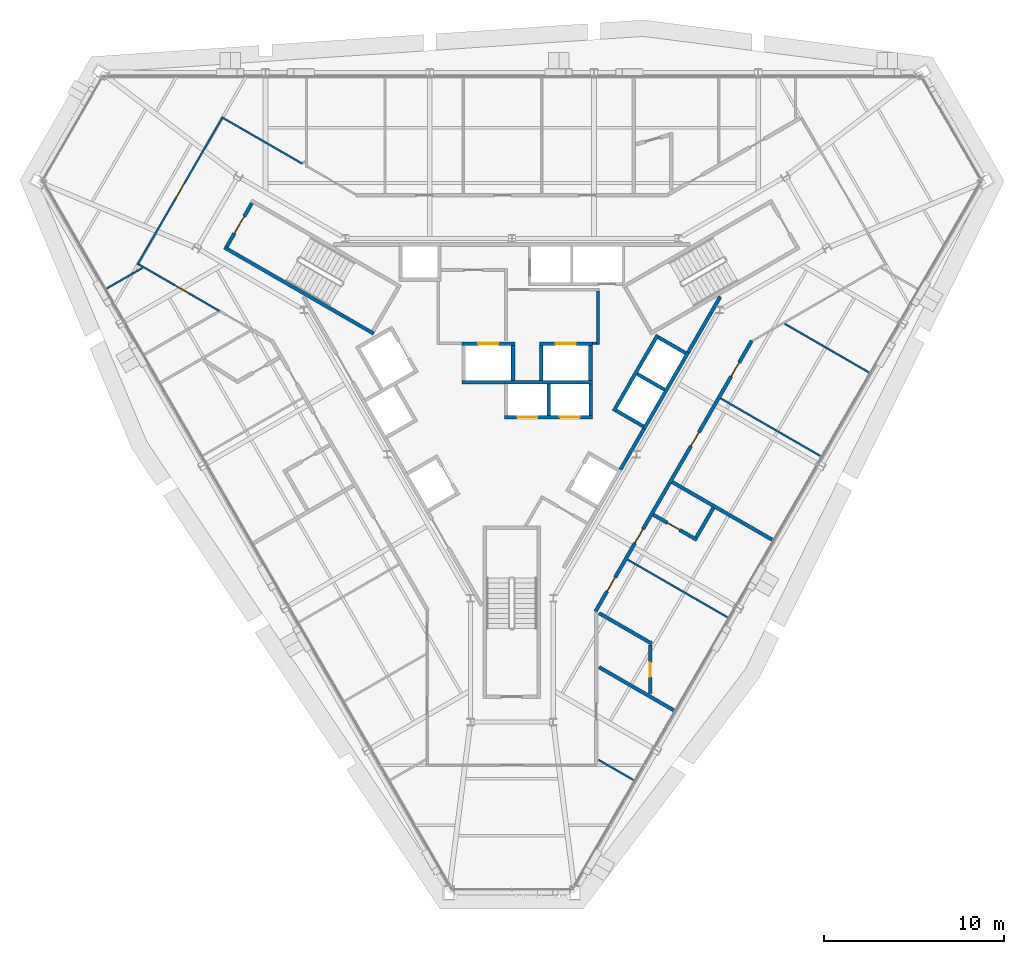
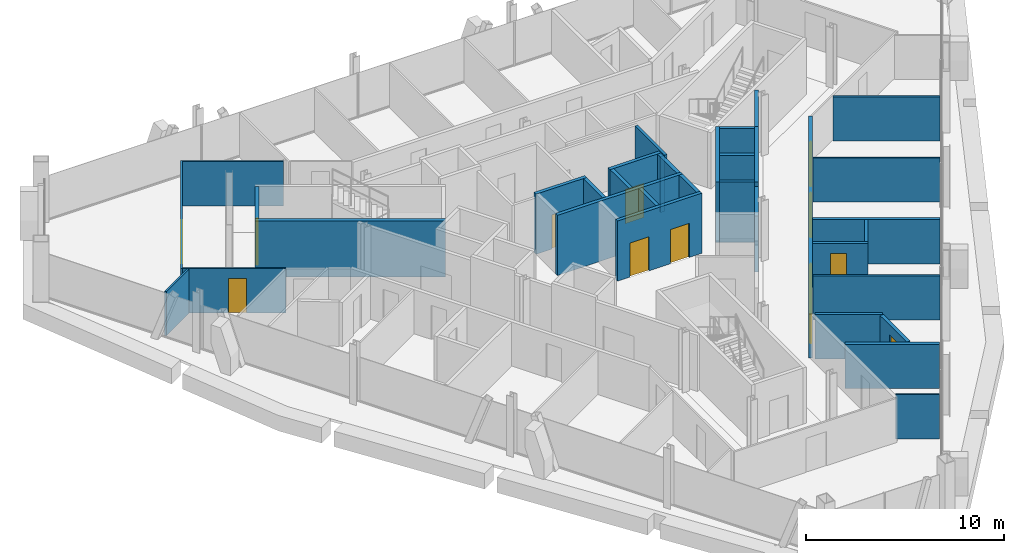
# One storey, part 11 of 15: 35 walls, 13 doors, 13 openings.
"""IFC4 building model written with IfcOpenShell, lengths in metres."""

from ifc_helpers import new_model, si_unit, direction, frame, frame_2d, origin, place, context, subcontext, project, spatial, rectangle, extrude, material, layer, layer_set, type_object, element, fill, save


model = new_model("IFC4")

# Units and contexts
model_context = context("Model", 3, precision=1e-05, world=origin(), true_north=direction((0.0, 1.0)))
body_context = subcontext(model_context, "Body", "Model", "MODEL_VIEW")
ifc_project = project(units=[si_unit("LENGTHUNIT", "METRE"), si_unit("AREAUNIT", "SQUARE_METRE"), si_unit("VOLUMEUNIT", "CUBIC_METRE"), si_unit("PLANEANGLEUNIT", "RADIAN"), si_unit("MASSUNIT", "GRAM", prefix="KILO")], contexts=[model_context])

# Site, building, storey
site_placement = place(None, origin())
site = spatial("IfcSite", under=ifc_project, at=site_placement, CompositionType="ELEMENT")
building_placement = place(site_placement, origin())
building = spatial("IfcBuilding", under=site, at=building_placement, Name="Verrane Prism Tower", CompositionType="ELEMENT")
storey_placement = place(building_placement, frame((0.0, 0.0, 250.800048828125)))
storey = spatial("IfcBuildingStorey", under=building, at=storey_placement, Name="L63", CompositionType="ELEMENT", Elevation=250.800048828125)

# Walls
ifc_material_1 = material(Name="Gypsum board partition", Category="other")
ifc_layer_1 = layer(ifc_material_1, 0.199951171875)
ifc_layer_set_1 = layer_set([ifc_layer_1], Name="CW-200 core boundary wall 2 h")
wall_type_1 = type_object("IfcWallType", Name="CW-200 core boundary wall 2 h", PredefinedType="PARTITIONING", material=ifc_layer_set_1)
wall_1_placement = place(storey_placement, frame((6.0419921875, -4.85498046875, 0.0), z_axis=(0.0, 0.0, 1.0), x_axis=(0.500252727967, 0.865879442048, 0.0)))
element("IfcWall", 1, at=wall_1_placement, inside=storey, type_object=wall_type_1, Name="Core boundary wall CW3-007", PredefinedType="PARTITIONING", context=body_context, shape_type="SweptSolid", body=[
    extrude(rectangle(XDim=2.616943359375, YDim=0.199951171875, at=frame_2d((1.30859375, 0.0))), origin(), (0.0, 0.0, 1.0), 3.449951171875),
])
wall_2_placement = place(storey_placement, frame((9.802978515625, 1.657958984375, 0.0), z_axis=(0.0, 0.0, 1.0), x_axis=(0.499943114462, 0.866058244174, 0.0)))
element("IfcWall", 2, at=wall_2_placement, inside=storey, type_object=wall_type_1, Name="Core boundary wall CW3-008", PredefinedType="PARTITIONING", context=body_context, shape_type="SweptSolid", body=[
    extrude(rectangle(XDim=3.57568359375, YDim=0.199951171875, at=frame_2d((1.787841796875, 0.0))), origin(), (0.0, 0.0, 1.0), 3.449951171875),
])

# Wall, opening, door
ifc_material_2 = material(Name="Concrete C40/50", Category="concrete")
ifc_layer_2 = layer(ifc_material_2, 0.199951171875)
ifc_layer_set_2 = layer_set([ifc_layer_2], Name="CW-200 stair core wall concrete C40/50 3 h")
wall_type_2 = type_object("IfcWallType", Name="CW-200 stair core wall concrete C40/50 3 h", PredefinedType="PARTITIONING", material=ifc_layer_set_2)
wall_3_placement = place(storey_placement, frame((-14.455322265625, 9.96240234375, 0.0), z_axis=(0.0, 0.0, 1.0), x_axis=(-0.500049511043, -0.865996816683, 0.0)))
wall_3 = element("IfcWall", 3, at=wall_3_placement, inside=storey, type_object=wall_type_2, Name="Stair 2 enclosure wall", PredefinedType="PARTITIONING", context=body_context, shape_type="SweptSolid", body=[
    extrude(rectangle(XDim=2.800048828125, YDim=0.199951171875, at=frame_2d((1.39990234375, 0.0))), origin(), (0.0, 0.0, 1.0), 3.449951171875),
])
opening_1_placement = place(wall_3_placement, frame((0.849853515625, 0.0, 0.0)))
opening_1 = element("IfcOpeningElement", 4, at=opening_1_placement, cuts=wall_3, Name="Opening D62501", PredefinedType="OPENING", context=body_context, shape_type="SweptSolid", body=[
    extrude(rectangle(XDim=1.10009765625, YDim=2.10009765625, at=frame_2d((0.550048828125, 1.050048828125))), frame((0.0, 0.10986328125, 0.0), z_axis=(0.0, -1.0, 0.0), x_axis=(1.0, 0.0, 0.0)), (0.0, 0.0, 1.0), 0.219970703125),
])
ifc_material_3 = material(Name="Timber veneered door leaf", Category="wood")
door_type_1 = type_object("IfcDoorType", Name="DR-1100x2100 FD90 single leaf stair", OperationType="NOTDEFINED", PredefinedType="DOOR", material=ifc_material_3)
door_1_placement = place(opening_1_placement, origin())
door_1 = element("IfcDoor", 5, at=door_1_placement, inside=storey, type_object=door_type_1, Name="Stair 2 door", OperationType="SINGLE_SWING_RIGHT", OverallHeight=2.10009765625, OverallWidth=1.10009765625, PredefinedType="DOOR", context=body_context, shape_type="SweptSolid", body=[
    extrude(rectangle(XDim=1.10009765625, YDim=2.10009765625, at=frame_2d((0.550048828125, 1.050048828125))), frame((0.0, 0.02490234375, 0.0), z_axis=(0.0, -1.0, 0.0), x_axis=(1.0, 0.0, 0.0)), (0.0, 0.0, 1.0), 0.050048828125),
])
fill(opening_1, door_1)

# Wall
wall_4_placement = place(storey_placement, frame((-7.67822265625, 2.700927734375, 0.0), z_axis=(0.0, 0.0, 1.0), x_axis=(-0.866019993635, 0.500009370536, 0.0)))
element("IfcWall", 6, at=wall_4_placement, inside=storey, type_object=wall_type_2, Name="Stair 2 enclosure wall", PredefinedType="PARTITIONING", context=body_context, shape_type="SweptSolid", body=[
    extrude(rectangle(XDim=9.599853515625, YDim=0.199951171875, at=frame_2d((4.7998046875, 0.0))), origin(), (0.0, 0.0, 1.0), 3.449951171875),
])

# Wall, openings, doors
ifc_material_4 = material(Name="Gypsum board shaft wall assembly", Category="other")
ifc_layer_3 = layer(ifc_material_4, 0.199951171875)
ifc_layer_set_3 = layer_set([ifc_layer_3], Name="HW-200 lift shaft wall 2 h")
wall_type_3 = type_object("IfcWallType", Name="HW-200 lift shaft wall 2 h", PredefinedType="PARTITIONING", material=ifc_layer_set_3)
wall_5_placement = place(storey_placement, frame((-0.405029296875, -1.949951171875, 0.0), z_axis=(0.0, 0.0, 1.0), x_axis=(1.0, 0.0, 0.0)))
wall_5 = element("IfcWall", 7, at=wall_5_placement, inside=storey, type_object=wall_type_3, Name="Lift shaft wall", PredefinedType="PARTITIONING", context=body_context, shape_type="SweptSolid", body=[
    extrude(rectangle(XDim=4.900146484375, YDim=0.199951171875, at=frame_2d((2.4501953125, 0.0))), origin(), (0.0, 0.0, 1.0), 3.699951171875),
])
opening_2_placement = place(wall_5_placement, frame((0.72509765625, 0.0, 0.0)))
opening_2 = element("IfcOpeningElement", 8, at=opening_2_placement, cuts=wall_5, Name="Opening D62503", PredefinedType="OPENING", context=body_context, shape_type="SweptSolid", body=[
    extrude(rectangle(XDim=1.10009765625, YDim=2.10009765625, at=frame_2d((0.550048828125, 1.050048828125))), frame((0.0, 0.10986328125, 0.0), z_axis=(0.0, -1.0, 0.0), x_axis=(1.0, 0.0, 0.0)), (0.0, 0.0, 1.0), 0.219970703125),
])
opening_3_placement = place(wall_5_placement, frame((3.074951171875, 0.0, 0.0)))
opening_3 = element("IfcOpeningElement", 9, at=opening_3_placement, cuts=wall_5, Name="Opening D62504", PredefinedType="OPENING", context=body_context, shape_type="SweptSolid", body=[
    extrude(rectangle(XDim=1.10009765625, YDim=2.10009765625, at=frame_2d((0.550048828125, 1.050048828125))), frame((0.0, 0.10986328125, 0.0), z_axis=(0.0, -1.0, 0.0), x_axis=(1.0, 0.0, 0.0)), (0.0, 0.0, 1.0), 0.219970703125),
])
ifc_material_5 = material(Name="Stainless steel sliding landing door", Category="steel")
door_type_2 = type_object("IfcDoorType", Name="LD-1100x2100 lift landing door FD90 sliding", OperationType="NOTDEFINED", PredefinedType="DOOR", material=ifc_material_5)
door_2_placement = place(opening_2_placement, origin())
door_2 = element("IfcDoor", 10, at=door_2_placement, inside=storey, type_object=door_type_2, Name="Bank B lift 1 landing door", OperationType="SLIDING_TO_LEFT", OverallHeight=2.10009765625, OverallWidth=1.10009765625, PredefinedType="DOOR", context=body_context, shape_type="SweptSolid", body=[
    extrude(rectangle(XDim=1.10009765625, YDim=2.10009765625, at=frame_2d((0.550048828125, 1.050048828125))), frame((0.0, 0.02490234375, 0.0), z_axis=(0.0, -1.0, 0.0), x_axis=(1.0, 0.0, 0.0)), (0.0, 0.0, 1.0), 0.050048828125),
])
fill(opening_2, door_2)
door_3_placement = place(opening_3_placement, origin())
door_3 = element("IfcDoor", 11, at=door_3_placement, inside=storey, type_object=door_type_2, Name="Bank B lift 2 landing door", OperationType="SLIDING_TO_RIGHT", OverallHeight=2.10009765625, OverallWidth=1.10009765625, PredefinedType="DOOR", context=body_context, shape_type="SweptSolid", body=[
    extrude(rectangle(XDim=1.10009765625, YDim=2.10009765625, at=frame_2d((0.550048828125, 1.050048828125))), frame((0.0, 0.02490234375, 0.0), z_axis=(0.0, -1.0, 0.0), x_axis=(1.0, 0.0, 0.0)), (0.0, 0.0, 1.0), 0.050048828125),
])
fill(opening_3, door_3)

# Wall
wall_6_placement = place(storey_placement, frame((-2.784912109375, 0.0, 0.0), z_axis=(0.0, 0.0, 1.0), x_axis=(1.0, 0.0, 0.0)))
element("IfcWall", 12, at=wall_6_placement, inside=storey, type_object=wall_type_3, Name="Lift shaft wall", PredefinedType="PARTITIONING", context=body_context, shape_type="SweptSolid", body=[
    extrude(rectangle(XDim=7.280029296875, YDim=0.199951171875, at=frame_2d((3.64013671875, 0.0))), origin(), (0.0, 0.0, 1.0), 3.699951171875),
])

# Wall, opening, door
wall_7_placement = place(storey_placement, frame((-2.784912109375, 2.14990234375, 0.0), z_axis=(0.0, 0.0, 1.0), x_axis=(1.0, 0.0, 0.0)))
wall_7 = element("IfcWall", 13, at=wall_7_placement, inside=storey, type_object=wall_type_3, Name="Lift shaft wall", PredefinedType="PARTITIONING", context=body_context, shape_type="SweptSolid", body=[
    extrude(rectangle(XDim=2.949951171875, YDim=0.199951171875, at=frame_2d((1.47509765625, 0.0))), origin(), (0.0, 0.0, 1.0), 3.699951171875),
])
opening_4_placement = place(wall_7_placement, frame((0.925048828125, 0.0, 0.0)))
opening_4 = element("IfcOpeningElement", 14, at=opening_4_placement, cuts=wall_7, Name="Opening D62507", PredefinedType="OPENING", context=body_context, shape_type="SweptSolid", body=[
    extrude(rectangle(XDim=1.10009765625, YDim=2.10009765625, at=frame_2d((0.550048828125, 1.050048828125))), frame((0.0, 0.10986328125, 0.0), z_axis=(0.0, -1.0, 0.0), x_axis=(1.0, 0.0, 0.0)), (0.0, 0.0, 1.0), 0.219970703125),
])
door_4_placement = place(opening_4_placement, origin())
door_4 = element("IfcDoor", 15, at=door_4_placement, inside=storey, type_object=door_type_2, Name="Fire service lift 1 landing door", OperationType="SLIDING_TO_LEFT", OverallHeight=2.10009765625, OverallWidth=1.10009765625, PredefinedType="DOOR", context=body_context, shape_type="SweptSolid", body=[
    extrude(rectangle(XDim=1.10009765625, YDim=2.10009765625, at=frame_2d((0.550048828125, 1.050048828125))), frame((0.0, 0.02490234375, 0.0), z_axis=(0.0, -1.0, 0.0), x_axis=(1.0, 0.0, 0.0)), (0.0, 0.0, 1.0), 0.050048828125),
])
fill(opening_4, door_4)

wall_8_placement = place(storey_placement, frame((1.52490234375, 2.14990234375, 0.0), z_axis=(0.0, 0.0, 1.0), x_axis=(1.0, 0.0, 0.0)))
wall_8 = element("IfcWall", 16, at=wall_8_placement, inside=storey, type_object=wall_type_3, Name="Lift shaft wall", PredefinedType="PARTITIONING", context=body_context, shape_type="SweptSolid", body=[
    extrude(rectangle(XDim=2.9501953125, YDim=0.199951171875, at=frame_2d((1.47509765625, 0.0))), origin(), (0.0, 0.0, 1.0), 3.699951171875),
])
opening_5_placement = place(wall_8_placement, frame((0.925048828125, 0.0, 0.0)))
opening_5 = element("IfcOpeningElement", 17, at=opening_5_placement, cuts=wall_8, Name="Opening D62508", PredefinedType="OPENING", context=body_context, shape_type="SweptSolid", body=[
    extrude(rectangle(XDim=1.10009765625, YDim=2.10009765625, at=frame_2d((0.550048828125, 1.050048828125))), frame((0.0, 0.10986328125, 0.0), z_axis=(0.0, -1.0, 0.0), x_axis=(1.0, 0.0, 0.0)), (0.0, 0.0, 1.0), 0.219970703125),
])
door_5_placement = place(opening_5_placement, origin())
door_5 = element("IfcDoor", 18, at=door_5_placement, inside=storey, type_object=door_type_2, Name="Fire service lift 2 landing door", OperationType="SLIDING_TO_RIGHT", OverallHeight=2.10009765625, OverallWidth=1.10009765625, PredefinedType="DOOR", context=body_context, shape_type="SweptSolid", body=[
    extrude(rectangle(XDim=1.10009765625, YDim=2.10009765625, at=frame_2d((0.550048828125, 1.050048828125))), frame((0.0, 0.02490234375, 0.0), z_axis=(0.0, -1.0, 0.0), x_axis=(1.0, 0.0, 0.0)), (0.0, 0.0, 1.0), 0.050048828125),
])
fill(opening_5, door_5)

# Walls
wall_9_placement = place(storey_placement, frame((7.351318359375, -2.587158203125, 0.0), z_axis=(0.0, 0.0, 1.0), x_axis=(0.500002801628, 0.866023786258, 0.0)))
element("IfcWall", 19, at=wall_9_placement, inside=storey, type_object=wall_type_3, Name="Lift shaft wall", PredefinedType="PARTITIONING", context=body_context, shape_type="SweptSolid", body=[
    extrude(rectangle(XDim=4.89990234375, YDim=0.199951171875, at=frame_2d((2.449951171875, 0.0))), origin(), (0.0, 0.0, 1.0), 3.699951171875),
])
wall_10_placement = place(storey_placement, frame((5.66259765625, -1.6123046875, 0.0), z_axis=(0.0, 0.0, 1.0), x_axis=(0.49998122708, 0.866036242063, 0.0)))
element("IfcWall", 20, at=wall_10_placement, inside=storey, type_object=wall_type_3, Name="Lift shaft wall", PredefinedType="PARTITIONING", context=body_context, shape_type="SweptSolid", body=[
    extrude(rectangle(XDim=4.900146484375, YDim=0.199951171875, at=frame_2d((2.4501953125, 0.0))), origin(), (0.0, 0.0, 1.0), 3.699951171875),
])
wall_11_placement = place(storey_placement, frame((4.39501953125, -1.85009765625, 0.0), z_axis=(0.0, 0.0, 1.0), x_axis=(0.0, 1.0, 0.0)))
element("IfcWall", 21, at=wall_11_placement, inside=storey, type_object=wall_type_3, Name="Lift shaft wall", PredefinedType="PARTITIONING", context=body_context, shape_type="SweptSolid", body=[
    extrude(rectangle(XDim=1.75, YDim=0.199951171875, at=frame_2d((0.875, 0.0))), origin(), (0.0, 0.0, 1.0), 3.699951171875),
])
wall_12_placement = place(storey_placement, frame((4.375, 0.10009765625, 0.0), z_axis=(0.0, 0.0, 1.0), x_axis=(0.0, 1.0, 0.0)))
element("IfcWall", 22, at=wall_12_placement, inside=storey, type_object=wall_type_3, Name="Lift shaft wall", PredefinedType="PARTITIONING", context=body_context, shape_type="SweptSolid", body=[
    extrude(rectangle(XDim=1.949951171875, YDim=0.199951171875, at=frame_2d((0.97509765625, 0.0))), origin(), (0.0, 0.0, 1.0), 3.699951171875),
])
wall_13_placement = place(storey_placement, frame((2.044921875, -1.85009765625, 0.0), z_axis=(0.0, 0.0, 1.0), x_axis=(0.0, 1.0, 0.0)))
element("IfcWall", 23, at=wall_13_placement, inside=storey, type_object=wall_type_3, Name="Lift shaft wall", PredefinedType="PARTITIONING", context=body_context, shape_type="SweptSolid", body=[
    extrude(rectangle(XDim=1.75, YDim=0.199951171875, at=frame_2d((0.875, 0.0))), origin(), (0.0, 0.0, 1.0), 3.699951171875),
])
for number, where, z_axis, x_axis, name in (
    (24, (1.625, 0.10009765625, 0.0), (0.0, 0.0, 1.0), (0.0, 1.0, 0.0), "Lift shaft wall"),
    (25, (0.06494140625, 0.10009765625, 0.0), (0.0, 0.0, 1.0), (0.0, 1.0, 0.0), "Lift shaft wall"),
):
    element("IfcWall", number, at=place(storey_placement, frame(where, z_axis=z_axis, x_axis=x_axis)), inside=storey, type_object=wall_type_3, Name=name, PredefinedType="PARTITIONING", context=body_context, shape_type="SweptSolid", body=[
        extrude(rectangle(XDim=1.949951171875, YDim=0.199951171875, at=frame_2d((0.97509765625, 0.0))), origin(), (0.0, 0.0, 1.0), 3.699951171875),
    ])
wall_14_placement = place(storey_placement, frame((9.66455078125, 1.61962890625, 0.0), z_axis=(0.0, 0.0, 1.0), x_axis=(-0.866002029911, 0.500040482552, 0.0)))
element("IfcWall", 26, at=wall_14_placement, inside=storey, type_object=wall_type_3, Name="Lift shaft wall", PredefinedType="PARTITIONING", context=body_context, shape_type="SweptSolid", body=[
    extrude(rectangle(XDim=1.749755859375, YDim=0.199951171875, at=frame_2d((0.875, 0.0))), origin(), (0.0, 0.0, 1.0), 3.699951171875),
])
for number, where, z_axis, x_axis, name in (
    (27, (8.48974609375, -0.41552734375, 0.0), (0.0, 0.0, 1.0), (-0.866036909293, 0.499980071345, 0.0), "Lift shaft wall"),
    (28, (7.314697265625, -2.45068359375, 0.0), (0.0, 0.0, 1.0), (-0.866036909293, 0.499980071345, 0.0), "Lift shaft wall"),
):
    element("IfcWall", number, at=place(storey_placement, frame(where, z_axis=z_axis, x_axis=x_axis)), inside=storey, type_object=wall_type_3, Name=name, PredefinedType="PARTITIONING", context=body_context, shape_type="SweptSolid", body=[
        extrude(rectangle(XDim=1.75, YDim=0.199951171875, at=frame_2d((0.875, 0.0))), origin(), (0.0, 0.0, 1.0), 3.699951171875),
    ])
ifc_material_6 = material(Name="Gypsum board partition", Category="other")
ifc_layer_4 = layer(ifc_material_6, 0.14990234375)
ifc_layer_set_4 = layer_set([ifc_layer_4], Name="LF-150 firefighting lobby wall 1 h")
wall_type_4 = type_object("IfcWallType", Name="LF-150 firefighting lobby wall 1 h", PredefinedType="PARTITIONING", material=ifc_layer_set_4)
wall_15_placement = place(storey_placement, frame((4.47705078125, 2.159912109375, 0.0), z_axis=(0.0, 0.0, 1.0), x_axis=(1.0, 0.0, 0.0)))
element("IfcWall", 29, at=wall_15_placement, inside=storey, type_object=wall_type_4, Name="Firefighting lobby wall LF1-006", PredefinedType="PARTITIONING", context=body_context, shape_type="SweptSolid", body=[
    extrude(rectangle(XDim=0.238037109375, YDim=0.14990234375, at=frame_2d((0.119140625, 0.0))), origin(), (0.0, 0.0, 1.0), 3.449951171875),
])
wall_16_placement = place(storey_placement, frame((4.7900390625, 2.0849609375, 0.0), z_axis=(0.0, 0.0, 1.0), x_axis=(0.0, 1.0, 0.0)))
element("IfcWall", 30, at=wall_16_placement, inside=storey, type_object=wall_type_4, Name="Firefighting lobby wall LF1-007", PredefinedType="PARTITIONING", context=body_context, shape_type="SweptSolid", body=[
    extrude(rectangle(XDim=2.97998046875, YDim=0.14990234375, at=frame_2d((1.489990234375, 0.0))), origin(), (0.0, 0.0, 1.0), 3.449951171875),
])
ifc_material_7 = material(Name="Gypsum board partition", Category="other")
ifc_layer_5 = layer(ifc_material_7, 0.10009765625)
ifc_layer_set_5 = layer_set([ifc_layer_5], Name="PW-100 room partition")
wall_type_5 = type_object("IfcWallType", Name="PW-100 room partition", PredefinedType="PARTITIONING", material=ifc_layer_set_5)
wall_17_placement = place(storey_placement, frame((-22.529541015625, 5.210205078125, 0.0), z_axis=(0.0, 0.0, 1.0), x_axis=(0.865865073245, 0.500277597875, 0.0)))
element("IfcWall", 31, at=wall_17_placement, inside=storey, type_object=wall_type_5, Name="Room partition 001", PredefinedType="PARTITIONING", context=body_context, shape_type="SweptSolid", body=[
    extrude(rectangle(XDim=2.283935546875, YDim=0.10009765625, at=frame_2d((1.14208984375, 0.0))), origin(), (0.0, 0.0, 1.0), 2.712890625),
])

# Wall, opening, door
wall_18_placement = place(storey_placement, frame((-16.2529296875, 3.95703125, 0.0), z_axis=(0.0, 0.0, 1.0), x_axis=(-0.866006514596, 0.500032715607, 0.0)))
wall_18 = element("IfcWall", 32, at=wall_18_placement, inside=storey, type_object=wall_type_5, Name="Room partition 002", PredefinedType="PARTITIONING", context=body_context, shape_type="SweptSolid", body=[
    extrude(rectangle(XDim=5.199462890625, YDim=0.10009765625, at=frame_2d((2.599609375, 0.0))), origin(), (0.0, 0.0, 1.0), 2.712890625),
])
opening_6_placement = place(wall_18_placement, frame((1.9775390625, 0.0, 0.0)))
opening_6 = element("IfcOpeningElement", 33, at=opening_6_placement, cuts=wall_18, Name="Opening D62018", PredefinedType="OPENING", context=body_context, shape_type="SweptSolid", body=[
    extrude(rectangle(XDim=0.89990234375, YDim=2.10009765625, at=frame_2d((0.449951171875, 1.050048828125))), frame((0.0, 0.06005859375, 0.0), z_axis=(0.0, -1.0, 0.0), x_axis=(1.0, 0.0, 0.0)), (0.0, 0.0, 1.0), 0.1201171875),
])
ifc_material_8 = material(Name="Timber veneered door leaf", Category="wood")
door_type_3 = type_object("IfcDoorType", Name="DR-900x2100 single leaf unit", OperationType="NOTDEFINED", PredefinedType="DOOR", material=ifc_material_8)
door_6_placement = place(opening_6_placement, origin())
door_6 = element("IfcDoor", 34, at=door_6_placement, inside=storey, type_object=door_type_3, Name="Kitchen door", OperationType="SINGLE_SWING_LEFT", OverallHeight=2.10009765625, OverallWidth=0.89990234375, PredefinedType="DOOR", context=body_context, shape_type="SweptSolid", body=[
    extrude(rectangle(XDim=0.89990234375, YDim=2.10009765625, at=frame_2d((0.449951171875, 1.050048828125))), frame((0.0, 0.02490234375, 0.0), z_axis=(0.0, -1.0, 0.0), x_axis=(1.0, 0.0, 0.0)), (0.0, 0.0, 1.0), 0.050048828125),
])
fill(opening_6, door_6)

wall_19_placement = place(storey_placement, frame((-20.823974609375, 6.538818359375, 0.0), z_axis=(0.0, 0.0, 1.0), x_axis=(0.500297300687, 0.865853689098, 0.0)))
wall_19 = element("IfcWall", 35, at=wall_19_placement, inside=storey, type_object=wall_type_5, Name="Room partition 003", PredefinedType="PARTITIONING", context=body_context, shape_type="SweptSolid", body=[
    extrude(rectangle(XDim=9.496337890625, YDim=0.10009765625, at=frame_2d((4.748046875, 0.0))), origin(), (0.0, 0.0, 1.0), 2.712890625),
])
opening_7_placement = place(wall_19_placement, frame((4.300048828125, 0.0, 0.0)))
opening_7 = element("IfcOpeningElement", 36, at=opening_7_placement, cuts=wall_19, Name="Opening D62017", PredefinedType="OPENING", context=body_context, shape_type="SweptSolid", body=[
    extrude(rectangle(XDim=0.89990234375, YDim=2.10009765625, at=frame_2d((0.449951171875, 1.050048828125))), frame((0.0, 0.06005859375, 0.0), z_axis=(0.0, -1.0, 0.0), x_axis=(1.0, 0.0, 0.0)), (0.0, 0.0, 1.0), 0.1201171875),
])
door_7_placement = place(opening_7_placement, origin())
door_7 = element("IfcDoor", 37, at=door_7_placement, inside=storey, type_object=door_type_3, Name="Utility Room door", OperationType="SINGLE_SWING_LEFT", OverallHeight=2.10009765625, OverallWidth=0.89990234375, PredefinedType="DOOR", context=body_context, shape_type="SweptSolid", body=[
    extrude(rectangle(XDim=0.89990234375, YDim=2.10009765625, at=frame_2d((0.449951171875, 1.050048828125))), frame((0.0, 0.02490234375, 0.0), z_axis=(0.0, -1.0, 0.0), x_axis=(1.0, 0.0, 0.0)), (0.0, 0.0, 1.0), 0.050048828125),
])
fill(opening_7, door_7)

# Walls
wall_20_placement = place(storey_placement, frame((-16.0546875, 14.693115234375, 0.0), z_axis=(0.0, 0.0, 1.0), x_axis=(0.866094383736, -0.499880504182, 0.0)))
element("IfcWall", 38, at=wall_20_placement, inside=storey, type_object=wall_type_5, Name="Room partition 009", PredefinedType="PARTITIONING", context=body_context, shape_type="SweptSolid", body=[
    extrude(rectangle(XDim=5.081298828125, YDim=0.10009765625, at=frame_2d((2.54052734375, 0.0))), origin(), (0.0, 0.0, 1.0), 2.712890625),
])
wall_21_placement = place(storey_placement, frame((4.824951171875, -21.004150390625, 0.0), z_axis=(0.0, 0.0, 1.0), x_axis=(0.866121639155, -0.499833278392, 0.0)))
element("IfcWall", 39, at=wall_21_placement, inside=storey, type_object=wall_type_5, Name="Room partition 029", PredefinedType="PARTITIONING", context=body_context, shape_type="SweptSolid", body=[
    extrude(rectangle(XDim=2.224853515625, YDim=0.10009765625, at=frame_2d((1.1123046875, 0.0))), origin(), (0.0, 0.0, 1.0), 2.712890625),
])
wall_22_placement = place(storey_placement, frame((6.43603515625, -9.865478515625, 0.0), z_axis=(0.0, 0.0, 1.0), x_axis=(0.866013405822, -0.500020780506, 0.0)))
element("IfcWall", 40, at=wall_22_placement, inside=storey, type_object=wall_type_5, Name="Room partition 033", PredefinedType="PARTITIONING", context=body_context, shape_type="SweptSolid", body=[
    extrude(rectangle(XDim=6.399169921875, YDim=0.10009765625, at=frame_2d((3.19970703125, 0.0))), origin(), (0.0, 0.0, 1.0), 2.712890625),
])
wall_23_placement = place(storey_placement, frame((11.61181640625, -0.8994140625, 0.0), z_axis=(0.0, 0.0, 1.0), x_axis=(0.865966403178, -0.500102178127, 0.0)))
element("IfcWall", 41, at=wall_23_placement, inside=storey, type_object=wall_type_5, Name="Room partition 043", PredefinedType="PARTITIONING", context=body_context, shape_type="SweptSolid", body=[
    extrude(rectangle(XDim=6.400146484375, YDim=0.10009765625, at=frame_2d((3.2001953125, 0.0))), origin(), (0.0, 0.0, 1.0), 2.712890625),
])
wall_24_placement = place(storey_placement, frame((15.176025390625, 3.249755859375, 0.0), z_axis=(0.0, 0.0, 1.0), x_axis=(0.865941828667, -0.500144728419, 0.0)))
element("IfcWall", 42, at=wall_24_placement, inside=storey, type_object=wall_type_5, Name="Room partition 045", PredefinedType="PARTITIONING", context=body_context, shape_type="SweptSolid", body=[
    extrude(rectangle(XDim=5.38818359375, YDim=0.10009765625, at=frame_2d((2.694091796875, 0.0))), origin(), (0.0, 0.0, 1.0), 2.712890625),
])
ifc_material_9 = material(Name="Gypsum board partition", Category="other")
ifc_layer_6 = layer(ifc_material_9, 0.199951171875)
ifc_layer_set_6 = layer_set([ifc_layer_6], Name="PW-200 plumbing wall")
wall_type_6 = type_object("IfcWallType", Name="PW-200 plumbing wall", PredefinedType="PARTITIONING", material=ifc_layer_set_6)
wall_25_placement = place(storey_placement, frame((4.85009765625, -15.845703125, 0.0), z_axis=(0.0, 0.0, 1.0), x_axis=(0.866007055173, -0.500031779381, 0.0)))
element("IfcWall", 43, at=wall_25_placement, inside=storey, type_object=wall_type_6, Name="Plumbing wall 030", PredefinedType="PARTITIONING", context=body_context, shape_type="SweptSolid", body=[
    extrude(rectangle(XDim=4.782470703125, YDim=0.199951171875, at=frame_2d((2.39111328125, 0.0))), origin(), (0.0, 0.0, 1.0), 2.712890625),
])
wall_26_placement = place(storey_placement, frame((4.85009765625, -12.843505859375, 0.0), z_axis=(0.0, 0.0, 1.0), x_axis=(0.866005731893, -0.500034071167, 0.0)))
element("IfcWall", 44, at=wall_26_placement, inside=storey, type_object=wall_type_6, Name="Plumbing wall 031", PredefinedType="PARTITIONING", context=body_context, shape_type="SweptSolid", body=[
    extrude(rectangle(XDim=3.390869140625, YDim=0.199951171875, at=frame_2d((1.6953125, 0.0))), origin(), (0.0, 0.0, 1.0), 2.712890625),
])

# Wall, openings, doors
wall_27_placement = place(storey_placement, frame((13.342041015625, 2.306396484375, 0.0), z_axis=(0.0, 0.0, 1.0), x_axis=(-0.499983003136, -0.866035216706, 0.0)))
wall_27 = element("IfcWall", 45, at=wall_27_placement, inside=storey, type_object=wall_type_6, Name="Plumbing wall 032", PredefinedType="PARTITIONING", context=body_context, shape_type="SweptSolid", body=[
    extrude(rectangle(XDim=17.384765625, YDim=0.199951171875, at=frame_2d((8.6923828125, 0.0))), origin(), (0.0, 0.0, 1.0), 2.712890625),
])
opening_8_placement = place(wall_27_placement, frame((15.184814453125, 0.0, 0.0)))
opening_8 = element("IfcOpeningElement", 46, at=opening_8_placement, cuts=wall_27, Name="Opening D62002", PredefinedType="OPENING", context=body_context, shape_type="SweptSolid", body=[
    extrude(rectangle(XDim=0.89990234375, YDim=2.10009765625, at=frame_2d((0.449951171875, 1.050048828125))), frame((0.0, 0.10986328125, 0.0), z_axis=(0.0, -1.0, 0.0), x_axis=(1.0, 0.0, 0.0)), (0.0, 0.0, 1.0), 0.219970703125),
])
opening_9_placement = place(wall_27_placement, frame((12.09375, 0.0, 0.0)))
opening_9 = element("IfcOpeningElement", 47, at=opening_9_placement, cuts=wall_27, Name="Opening D62004", PredefinedType="OPENING", context=body_context, shape_type="SweptSolid", body=[
    extrude(rectangle(XDim=0.89990234375, YDim=2.10009765625, at=frame_2d((0.449951171875, 1.050048828125))), frame((0.0, 0.10986328125, 0.0), z_axis=(0.0, -1.0, 0.0), x_axis=(1.0, 0.0, 0.0)), (0.0, 0.0, 1.0), 0.219970703125),
])
opening_10_placement = place(wall_27_placement, frame((5.86669921875, 0.0, 0.0)))
opening_10 = element("IfcOpeningElement", 48, at=opening_10_placement, cuts=wall_27, Name="Opening D62006", PredefinedType="OPENING", context=body_context, shape_type="SweptSolid", body=[
    extrude(rectangle(XDim=0.89990234375, YDim=2.10009765625, at=frame_2d((0.449951171875, 1.050048828125))), frame((0.0, 0.10986328125, 0.0), z_axis=(0.0, -1.0, 0.0), x_axis=(1.0, 0.0, 0.0)), (0.0, 0.0, 1.0), 0.219970703125),
])
opening_11_placement = place(wall_27_placement, frame((1.391845703125, 0.0, 0.0)))
opening_11 = element("IfcOpeningElement", 49, at=opening_11_placement, cuts=wall_27, Name="Opening D62007", PredefinedType="OPENING", context=body_context, shape_type="SweptSolid", body=[
    extrude(rectangle(XDim=0.89990234375, YDim=2.10009765625, at=frame_2d((0.449951171875, 1.050048828125))), frame((0.0, 0.10986328125, 0.0), z_axis=(0.0, -1.0, 0.0), x_axis=(1.0, 0.0, 0.0)), (0.0, 0.0, 1.0), 0.219970703125),
])
ifc_material_10 = material(Name="Timber veneered door leaf", Category="wood")
door_type_4 = type_object("IfcDoorType", Name="DR-900x2100 single leaf inner", OperationType="NOTDEFINED", PredefinedType="DOOR", material=ifc_material_10)
door_8_placement = place(opening_8_placement, origin())
door_8 = element("IfcDoor", 50, at=door_8_placement, inside=storey, type_object=door_type_4, Name="Master Bedroom door", OperationType="SINGLE_SWING_LEFT", OverallHeight=2.10009765625, OverallWidth=0.89990234375, PredefinedType="DOOR", context=body_context, shape_type="SweptSolid", body=[
    extrude(rectangle(XDim=0.89990234375, YDim=2.10009765625, at=frame_2d((0.449951171875, 1.050048828125))), frame((0.0, 0.02490234375, 0.0), z_axis=(0.0, -1.0, 0.0), x_axis=(1.0, 0.0, 0.0)), (0.0, 0.0, 1.0), 0.050048828125),
])
fill(opening_8, door_8)
door_9_placement = place(opening_9_placement, origin())
door_9 = element("IfcDoor", 51, at=door_9_placement, inside=storey, type_object=door_type_4, Name="Bedroom door", OperationType="SINGLE_SWING_LEFT", OverallHeight=2.10009765625, OverallWidth=0.89990234375, PredefinedType="DOOR", context=body_context, shape_type="SweptSolid", body=[
    extrude(rectangle(XDim=0.89990234375, YDim=2.10009765625, at=frame_2d((0.449951171875, 1.050048828125))), frame((0.0, 0.02490234375, 0.0), z_axis=(0.0, -1.0, 0.0), x_axis=(1.0, 0.0, 0.0)), (0.0, 0.0, 1.0), 0.050048828125),
])
fill(opening_9, door_9)
door_10_placement = place(opening_10_placement, origin())
door_10 = element("IfcDoor", 52, at=door_10_placement, inside=storey, type_object=door_type_3, Name="Study door", OperationType="SINGLE_SWING_LEFT", OverallHeight=2.10009765625, OverallWidth=0.89990234375, PredefinedType="DOOR", context=body_context, shape_type="SweptSolid", body=[
    extrude(rectangle(XDim=0.89990234375, YDim=2.10009765625, at=frame_2d((0.449951171875, 1.050048828125))), frame((0.0, 0.02490234375, 0.0), z_axis=(0.0, -1.0, 0.0), x_axis=(1.0, 0.0, 0.0)), (0.0, 0.0, 1.0), 0.050048828125),
])
fill(opening_10, door_10)
door_11_placement = place(opening_11_placement, origin())
door_11 = element("IfcDoor", 53, at=door_11_placement, inside=storey, type_object=door_type_3, Name="Study door", OperationType="SINGLE_SWING_RIGHT", OverallHeight=2.10009765625, OverallWidth=0.89990234375, PredefinedType="DOOR", context=body_context, shape_type="SweptSolid", body=[
    extrude(rectangle(XDim=0.89990234375, YDim=2.10009765625, at=frame_2d((0.449951171875, 1.050048828125))), frame((0.0, 0.02490234375, 0.0), z_axis=(0.0, -1.0, 0.0), x_axis=(1.0, 0.0, 0.0)), (0.0, 0.0, 1.0), 0.050048828125),
])
fill(opening_11, door_11)

# Wall, opening, door
wall_28_placement = place(storey_placement, frame((7.699951171875, -17.31884765625, 0.0), z_axis=(0.0, 0.0, 1.0), x_axis=(0.0, 1.0, 0.0)))
wall_28 = element("IfcWall", 54, at=wall_28_placement, inside=storey, type_object=wall_type_6, Name="Plumbing wall 036", PredefinedType="PARTITIONING", context=body_context, shape_type="SweptSolid", body=[
    extrude(rectangle(XDim=2.69482421875, YDim=0.199951171875, at=frame_2d((1.347412109375, 0.0))), origin(), (0.0, 0.0, 1.0), 2.712890625),
])
opening_12_placement = place(wall_28_placement, frame((0.9267578125, 0.0, 0.0)))
opening_12 = element("IfcOpeningElement", 55, at=opening_12_placement, cuts=wall_28, Name="Opening D62003", PredefinedType="OPENING", context=body_context, shape_type="SweptSolid", body=[
    extrude(rectangle(XDim=0.800048828125, YDim=2.10009765625, at=frame_2d((0.39990234375, 1.050048828125))), frame((0.0, 0.10986328125, 0.0), z_axis=(0.0, -1.0, 0.0), x_axis=(1.0, 0.0, 0.0)), (0.0, 0.0, 1.0), 0.219970703125),
])
ifc_material_11 = material(Name="Timber veneered door leaf", Category="wood")
door_type_5 = type_object("IfcDoorType", Name="DR-800x2100 single leaf bath", OperationType="NOTDEFINED", PredefinedType="DOOR", material=ifc_material_11)
door_12_placement = place(opening_12_placement, origin())
door_12 = element("IfcDoor", 56, at=door_12_placement, inside=storey, type_object=door_type_5, Name="Master Bathroom door", OperationType="SINGLE_SWING_LEFT", OverallHeight=2.10009765625, OverallWidth=0.800048828125, PredefinedType="DOOR", context=body_context, shape_type="SweptSolid", body=[
    extrude(rectangle(XDim=0.800048828125, YDim=2.10009765625, at=frame_2d((0.39990234375, 1.050048828125))), frame((0.0, 0.02490234375, 0.0), z_axis=(0.0, -1.0, 0.0), x_axis=(1.0, 0.0, 0.0)), (0.0, 0.0, 1.0), 0.050048828125),
])
fill(opening_12, door_12)

wall_29_placement = place(storey_placement, frame((7.87060546875, -7.37109375, 0.0), z_axis=(0.0, 0.0, 1.0), x_axis=(0.866056369097, -0.49994636267, 0.0)))
wall_29 = element("IfcWall", 57, at=wall_29_placement, inside=storey, type_object=wall_type_6, Name="Plumbing wall 037", PredefinedType="PARTITIONING", context=body_context, shape_type="SweptSolid", body=[
    extrude(rectangle(XDim=2.800048828125, YDim=0.199951171875, at=frame_2d((1.39990234375, 0.0))), origin(), (0.0, 0.0, 1.0), 2.712890625),
])
opening_13_placement = place(wall_29_placement, frame((0.89990234375, 0.0, 0.0)))
opening_13 = element("IfcOpeningElement", 58, at=opening_13_placement, cuts=wall_29, Name="Opening D62005", PredefinedType="OPENING", context=body_context, shape_type="SweptSolid", body=[
    extrude(rectangle(XDim=0.800048828125, YDim=2.10009765625, at=frame_2d((0.39990234375, 1.050048828125))), frame((0.0, 0.10986328125, 0.0), z_axis=(0.0, -1.0, 0.0), x_axis=(1.0, 0.0, 0.0)), (0.0, 0.0, 1.0), 0.219970703125),
])
door_13_placement = place(opening_13_placement, origin())
door_13 = element("IfcDoor", 59, at=door_13_placement, inside=storey, type_object=door_type_5, Name="Bathroom door", OperationType="SINGLE_SWING_LEFT", OverallHeight=2.10009765625, OverallWidth=0.800048828125, PredefinedType="DOOR", context=body_context, shape_type="SweptSolid", body=[
    extrude(rectangle(XDim=0.800048828125, YDim=2.10009765625, at=frame_2d((0.39990234375, 1.050048828125))), frame((0.0, 0.02490234375, 0.0), z_axis=(0.0, -1.0, 0.0), x_axis=(1.0, 0.0, 0.0)), (0.0, 0.0, 1.0), 0.050048828125),
])
fill(opening_13, door_13)

# Walls
wall_30_placement = place(storey_placement, frame((8.920654296875, -5.552978515625, 0.0), z_axis=(0.0, 0.0, 1.0), x_axis=(0.866026868306, -0.499997463366, 0.0)))
element("IfcWall", 60, at=wall_30_placement, inside=storey, type_object=wall_type_6, Name="Plumbing wall 039", PredefinedType="PARTITIONING", context=body_context, shape_type="SweptSolid", body=[
    extrude(rectangle(XDim=6.40380859375, YDim=0.199951171875, at=frame_2d((3.201904296875, 0.0))), origin(), (0.0, 0.0, 1.0), 2.712890625),
])
wall_31_placement = place(storey_placement, frame((10.259033203125, -8.634521484375, 0.0), z_axis=(0.0, 0.0, 1.0), x_axis=(0.500078449558, 0.865980106173, 0.0)))
element("IfcWall", 61, at=wall_31_placement, inside=storey, type_object=wall_type_6, Name="Plumbing wall 041", PredefinedType="PARTITIONING", context=body_context, shape_type="SweptSolid", body=[
    extrude(rectangle(XDim=1.899658203125, YDim=0.199951171875, at=frame_2d((0.94970703125, 0.0))), origin(), (0.0, 0.0, 1.0), 2.712890625),
])

save(model, "model.ifc")
